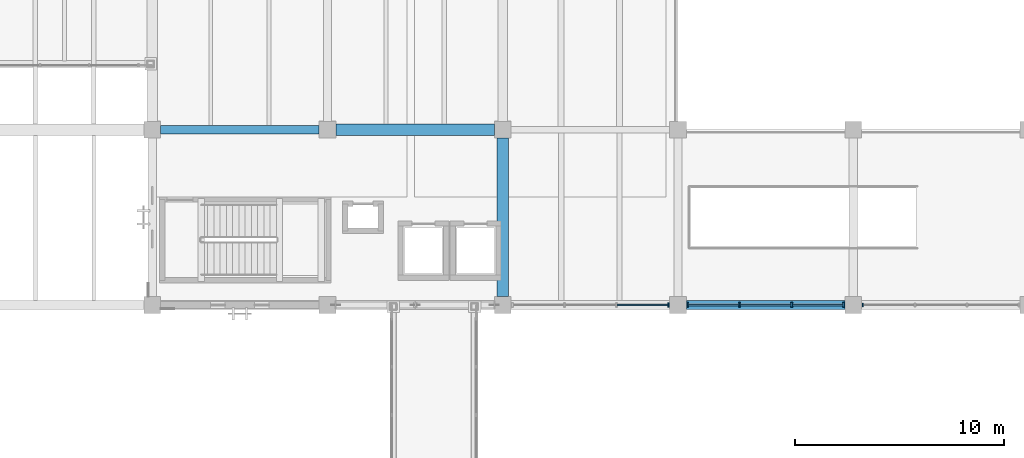
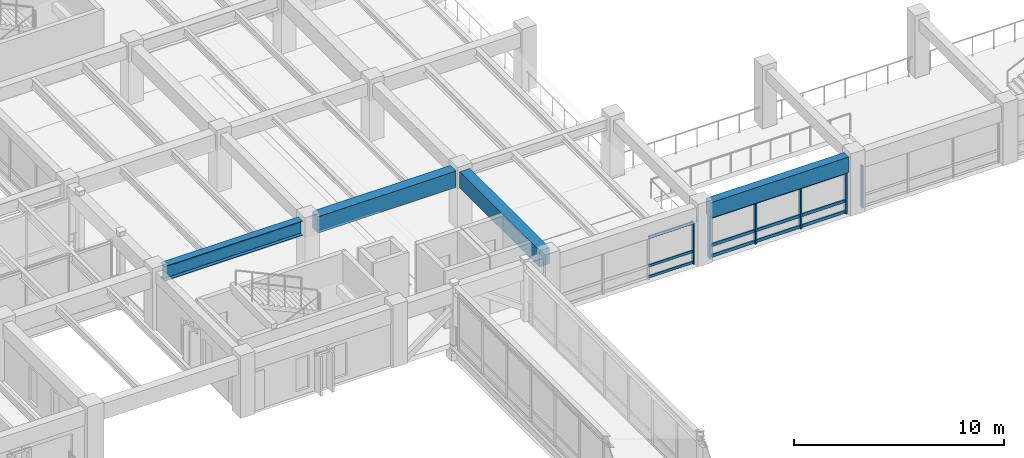
# One storey, part 36 of 118: 18 members, 4 beams, 3 elements without a shape of their own.
"""IFC4 building model written with IfcOpenShell, lengths in metres."""

from ifc_helpers import new_model, si_unit, direction, frame, origin, origin_2d, place, context, subcontext, project, spatial, rectangle, i_section, extrude, material, material_profile, profile_set, type_object, element, aggregate, save


model = new_model("IFC4")

# Units and contexts
model_context = context("Model", 3, precision=1e-05, world=origin(), true_north=direction((0.0, 1.0)))
body_context = subcontext(model_context, "Body", "Model", "MODEL_VIEW")
ifc_project = project(units=[si_unit("LENGTHUNIT", "METRE"), si_unit("AREAUNIT", "SQUARE_METRE"), si_unit("VOLUMEUNIT", "CUBIC_METRE"), si_unit("PLANEANGLEUNIT", "RADIAN"), si_unit("MASSUNIT", "GRAM", prefix="KILO")], contexts=[model_context])

# Site, building, storey
site_placement = place(None, origin())
site = spatial("IfcSite", under=ifc_project, at=site_placement, CompositionType="ELEMENT")
building_placement = place(site_placement, origin())
building = spatial("IfcBuilding", under=site, at=building_placement, Name="Cumbredor Promenade Congress Hotel", CompositionType="ELEMENT")
storey_placement = place(building_placement, frame((0.0, 0.0, 3.919921875)))
storey = spatial("IfcBuildingStorey", under=building, at=storey_placement, Name="L01", CompositionType="ELEMENT", Elevation=3.919921875)

# Beams
ifc_material_1 = material(Name="Concrete C40/50", Category="concrete")
ifc_material_profile_1 = material_profile(ifc_material_1, rectangle(XDim=0.550048828125, YDim=0.949951171875, at=origin_2d()), Name="RC BEAM 550x950")
ifc_profile_set_1 = profile_set([ifc_material_profile_1], Name="Concrete C40/50")
beam_type_1 = type_object("IfcBeamType", Name="BM-RC-550x950", PredefinedType="BEAM", material=ifc_profile_set_1)
for number, where, z_axis, x_axis, name in (
    (1, (101.199951171875, 92.39990234375, 2.885009765625), (1.0, 0.0, 0.0), (0.0, 1.0, 0.0), "L02 X-Grid Beam 188"),
    (2, (109.199951171875, 84.39990234375, 2.885009765625), (0.0, 1.0, 0.0), (-1.0, 0.0, 0.0), "L02 Y-Grid Beam 200"),
):
    element("IfcBeam", number, at=place(storey_placement, frame(where, z_axis=z_axis, x_axis=x_axis)), inside=storey, type_object=beam_type_1, Name=name, PredefinedType="BEAM", context=body_context, shape_type="SweptSolid", body=[
        extrude(rectangle(XDim=0.550048828125, YDim=0.949951171875, at=origin_2d()), origin(), (0.0, 0.0, 1.0), 7.60009765625),
    ])
ifc_material_2 = material(Name="Steel ASTM A992 Grade 50", Category="steel")
ifc_material_profile_2 = material_profile(ifc_material_2, i_section(OverallWidth=0.39990234375, OverallDepth=0.85498046875, WebThickness=0.018310546875, FlangeThickness=0.029296875, at=origin_2d()), Name="W33X201")
ifc_profile_set_2 = profile_set([ifc_material_profile_2], Name="Steel ASTM A992 Grade 50")
beam_type_2 = type_object("IfcBeamType", Name="BM-W33X201", PredefinedType="BEAM", material=ifc_profile_set_2)
beam_1_placement = place(storey_placement, frame((92.800048828125, 92.39990234375, 2.9326171875), z_axis=(1.0, 0.0, 0.0), x_axis=(0.0, 1.0, 0.0)))
element("IfcBeam", 3, at=beam_1_placement, inside=storey, type_object=beam_type_2, Name="L02 X-Grid Beam 174", PredefinedType="BEAM", context=body_context, shape_type="SweptSolid", body=[
    extrude(i_section(OverallWidth=0.39990234375, OverallDepth=0.85498046875, WebThickness=0.018310546875, FlangeThickness=0.029296875, at=origin_2d()), origin(), (0.0, 0.0, 1.0), 7.599853515625),
])

# Curtain wall, member
ifc_material_3 = material(Name="Thermally broken anodized aluminium and low-E glass", Category="aluminium")
curtain_wall_type = type_object("IfcCurtainWallType", Name="Unitised Forum Curtain Wall CW-02", PredefinedType="NOTDEFINED", material=ifc_material_3)
curtain_wall_1_placement = place(storey_placement, origin())
curtain_wall_1 = element("IfcCurtainWall", 4, at=curtain_wall_1_placement, inside=storey, type_object=curtain_wall_type, Name="L01 Pre-Function and Breakout Meeting Forum South Curtain Wall 5", PredefinedType="NOTDEFINED")
ifc_material_4 = material(Name="Thermally broken anodized aluminium", Category="aluminium")
ifc_material_profile_3 = material_profile(ifc_material_4, rectangle(XDim=0.06494140625, YDim=0.159912109375, at=origin_2d()), Name="ALU MULLION 65x160")
ifc_profile_set_3 = profile_set([ifc_material_profile_3], Name="Thermally broken anodized aluminium")
member_type_1 = type_object("IfcMemberType", Name="Curtain Wall Mullion ML-01", PredefinedType="MULLION", material=ifc_profile_set_3)
member_1_placement = place(storey_placement, frame((126.455078125, 84.0, -0.0078125), z_axis=(0.0, 0.0, 1.0), x_axis=(1.0, 0.0, 0.0)))
member_1 = element("IfcMember", 5, at=member_1_placement, type_object=member_type_1, Name="L01 Pre-Function and Breakout Meeting Forum South Curtain Wall 5 Mullion 1", PredefinedType="MULLION", context=body_context, shape_type="SweptSolid", body=[
    extrude(rectangle(XDim=0.06494140625, YDim=0.159912109375, at=origin_2d()), origin(), (0.0, 0.0, 1.0), 2.4609375),
])
aggregate(curtain_wall_1, [member_1])

curtain_wall_2_placement = place(storey_placement, origin())
curtain_wall_2 = element("IfcCurtainWall", 6, at=curtain_wall_2_placement, inside=storey, type_object=curtain_wall_type, Name="L01 Pre-Function and Breakout Meeting Forum South Curtain Wall 3", PredefinedType="NOTDEFINED")
ifc_material_profile_4 = material_profile(ifc_material_4, rectangle(XDim=0.074951171875, YDim=0.199951171875, at=origin_2d()), Name="ALU MULLION 75x200")
ifc_profile_set_4 = profile_set([ifc_material_profile_4], Name="Thermally broken anodized aluminium")
member_type_2 = type_object("IfcMemberType", Name="Curtain Wall Mullion ML-02", PredefinedType="MULLION", material=ifc_profile_set_4)
member_2_placement = place(storey_placement, frame((117.14501953125, 84.0, -0.0078125), z_axis=(0.0, 0.0, 1.0), x_axis=(1.0, 0.0, 0.0)))
member_2 = element("IfcMember", 7, at=member_2_placement, type_object=member_type_2, Name="L01 Pre-Function and Breakout Meeting Forum South Curtain Wall 3 Mullion 4", PredefinedType="MULLION", context=body_context, shape_type="SweptSolid", body=[
    extrude(rectangle(XDim=0.074951171875, YDim=0.199951171875, at=origin_2d()), origin(), (0.0, 0.0, 1.0), 2.4609375),
])

# Curtain wall, members
curtain_wall_3_placement = place(storey_placement, origin())
curtain_wall_3 = element("IfcCurtainWall", 8, at=curtain_wall_3_placement, inside=storey, type_object=curtain_wall_type, Name="L01 Pre-Function and Breakout Meeting Forum South Curtain Wall 4", PredefinedType="NOTDEFINED")
ifc_material_profile_5 = material_profile(ifc_material_4, rectangle(XDim=0.080078125, YDim=0.239990234375, at=origin_2d()), Name="ALU MULLION 80x240")
ifc_profile_set_5 = profile_set([ifc_material_profile_5], Name="Thermally broken anodized aluminium")
member_type_3 = type_object("IfcMemberType", Name="Curtain Wall Mullion ML-03", PredefinedType="MULLION", material=ifc_profile_set_5)
member_3_placement = place(storey_placement, frame((118.054931640625, 84.0, -0.0078125), z_axis=(0.0, 0.0, 1.0), x_axis=(1.0, 0.0, 0.0)))
member_3 = element("IfcMember", 9, at=member_3_placement, type_object=member_type_3, Name="L01 Pre-Function and Breakout Meeting Forum South Curtain Wall 4 Mullion 1", PredefinedType="MULLION", context=body_context, shape_type="SweptSolid", body=[
    extrude(rectangle(XDim=0.080078125, YDim=0.239990234375, at=origin_2d()), origin(), (0.0, 0.0, 1.0), 2.4609375),
])
member_4_placement = place(storey_placement, frame((120.5517578125, 84.0, -0.0078125), z_axis=(0.0, 0.0, 1.0), x_axis=(1.0, 0.0, 0.0)))
member_4 = element("IfcMember", 10, at=member_4_placement, type_object=member_type_3, Name="L01 Pre-Function and Breakout Meeting Forum South Curtain Wall 4 Mullion 2", PredefinedType="MULLION", context=body_context, shape_type="SweptSolid", body=[
    extrude(rectangle(XDim=0.080078125, YDim=0.239990234375, at=origin_2d()), origin(), (0.0, 0.0, 1.0), 2.4609375),
])
member_5_placement = place(storey_placement, frame((123.04833984375, 84.0, -0.0078125), z_axis=(0.0, 0.0, 1.0), x_axis=(1.0, 0.0, 0.0)))
member_5 = element("IfcMember", 11, at=member_5_placement, type_object=member_type_3, Name="L01 Pre-Function and Breakout Meeting Forum South Curtain Wall 4 Mullion 3", PredefinedType="MULLION", context=body_context, shape_type="SweptSolid", body=[
    extrude(rectangle(XDim=0.080078125, YDim=0.239990234375, at=origin_2d()), origin(), (0.0, 0.0, 1.0), 2.4609375),
])
member_6_placement = place(storey_placement, frame((125.544921875, 84.0, -0.0078125), z_axis=(0.0, 0.0, 1.0), x_axis=(1.0, 0.0, 0.0)))
member_6 = element("IfcMember", 12, at=member_6_placement, type_object=member_type_3, Name="L01 Pre-Function and Breakout Meeting Forum South Curtain Wall 4 Mullion 4", PredefinedType="MULLION", context=body_context, shape_type="SweptSolid", body=[
    extrude(rectangle(XDim=0.080078125, YDim=0.239990234375, at=origin_2d()), origin(), (0.0, 0.0, 1.0), 2.4609375),
])

# Member
ifc_material_profile_6 = material_profile(ifc_material_4, rectangle(XDim=0.074951171875, YDim=0.14990234375, at=origin_2d()), Name="ALU TRANSOM 75x150")
ifc_profile_set_6 = profile_set([ifc_material_profile_6], Name="Thermally broken anodized aluminium")
member_type_4 = type_object("IfcMemberType", Name="Curtain Wall Transom TR-02", PredefinedType="USERDEFINED", material=ifc_profile_set_6)
member_7_placement = place(storey_placement, frame((114.685791015625, 84.0, 0.080078125), z_axis=(1.0, 0.0, 0.0), x_axis=(0.0, 1.0, 0.0)))
member_7 = element("IfcMember", 13, at=member_7_placement, type_object=member_type_4, Name="L01 Pre-Function and Breakout Meeting Forum South Curtain Wall 3 Transom 3.1", ObjectType="TRANSOM", PredefinedType="USERDEFINED", context=body_context, shape_type="SweptSolid", body=[
    extrude(rectangle(XDim=0.074951171875, YDim=0.14990234375, at=origin_2d()), origin(), (0.0, 0.0, 1.0), 2.421630859375),
])

member_8_placement = place(storey_placement, frame((114.685791015625, 84.0, 0.719970703125), z_axis=(1.0, 0.0, 0.0), x_axis=(0.0, 1.0, 0.0)))
member_8 = element("IfcMember", 14, at=member_8_placement, type_object=member_type_4, Name="L01 Pre-Function and Breakout Meeting Forum South Curtain Wall 3 Transom 3.2", ObjectType="TRANSOM", PredefinedType="USERDEFINED", context=body_context, shape_type="SweptSolid", body=[
    extrude(rectangle(XDim=0.074951171875, YDim=0.14990234375, at=origin_2d()), origin(), (0.0, 0.0, 1.0), 2.421630859375),
])

member_9_placement = place(storey_placement, frame((114.685791015625, 84.0, 2.3701171875), z_axis=(1.0, 0.0, 0.0), x_axis=(0.0, 1.0, 0.0)))
member_9 = element("IfcMember", 15, at=member_9_placement, type_object=member_type_4, Name="L01 Pre-Function and Breakout Meeting Forum South Curtain Wall 3 Transom 3.3", ObjectType="TRANSOM", PredefinedType="USERDEFINED", context=body_context, shape_type="SweptSolid", body=[
    extrude(rectangle(XDim=0.074951171875, YDim=0.14990234375, at=origin_2d()), origin(), (0.0, 0.0, 1.0), 2.421630859375),
])

aggregate(curtain_wall_2, [member_2, member_7, member_8, member_9])

ifc_material_profile_7 = material_profile(ifc_material_4, rectangle(XDim=0.080078125, YDim=0.179931640625, at=origin_2d()), Name="ALU TRANSOM 80x180")
ifc_profile_set_7 = profile_set([ifc_material_profile_7], Name="Thermally broken anodized aluminium")
member_type_5 = type_object("IfcMemberType", Name="Curtain Wall Transom TR-03", PredefinedType="USERDEFINED", material=ifc_profile_set_7)
member_10_placement = place(storey_placement, frame((118.094970703125, 84.0, 0.090087890625), z_axis=(1.0, 0.0, 0.0), x_axis=(0.0, 1.0, 0.0)))
member_10 = element("IfcMember", 16, at=member_10_placement, type_object=member_type_5, Name="L01 Pre-Function and Breakout Meeting Forum South Curtain Wall 4 Transom 1.1", ObjectType="TRANSOM", PredefinedType="USERDEFINED", context=body_context, shape_type="SweptSolid", body=[
    extrude(rectangle(XDim=0.080078125, YDim=0.179931640625, at=origin_2d()), origin(), (0.0, 0.0, 1.0), 2.416748046875),
])

member_11_placement = place(storey_placement, frame((118.094970703125, 84.0, 0.719970703125), z_axis=(1.0, 0.0, 0.0), x_axis=(0.0, 1.0, 0.0)))
member_11 = element("IfcMember", 17, at=member_11_placement, type_object=member_type_5, Name="L01 Pre-Function and Breakout Meeting Forum South Curtain Wall 4 Transom 1.2", ObjectType="TRANSOM", PredefinedType="USERDEFINED", context=body_context, shape_type="SweptSolid", body=[
    extrude(rectangle(XDim=0.080078125, YDim=0.179931640625, at=origin_2d()), origin(), (0.0, 0.0, 1.0), 2.416748046875),
])

member_12_placement = place(storey_placement, frame((118.094970703125, 84.0, 2.360107421875), z_axis=(1.0, 0.0, 0.0), x_axis=(0.0, 1.0, 0.0)))
member_12 = element("IfcMember", 18, at=member_12_placement, type_object=member_type_5, Name="L01 Pre-Function and Breakout Meeting Forum South Curtain Wall 4 Transom 1.3", ObjectType="TRANSOM", PredefinedType="USERDEFINED", context=body_context, shape_type="SweptSolid", body=[
    extrude(rectangle(XDim=0.080078125, YDim=0.179931640625, at=origin_2d()), origin(), (0.0, 0.0, 1.0), 2.416748046875),
])

member_13_placement = place(storey_placement, frame((120.591796875, 84.0, 0.090087890625), z_axis=(1.0, 0.0, 0.0), x_axis=(0.0, 1.0, 0.0)))
member_13 = element("IfcMember", 19, at=member_13_placement, type_object=member_type_5, Name="L01 Pre-Function and Breakout Meeting Forum South Curtain Wall 4 Transom 2.1", ObjectType="TRANSOM", PredefinedType="USERDEFINED", context=body_context, shape_type="SweptSolid", body=[
    extrude(rectangle(XDim=0.080078125, YDim=0.179931640625, at=origin_2d()), origin(), (0.0, 0.0, 1.0), 2.41650390625),
])

member_14_placement = place(storey_placement, frame((120.591796875, 84.0, 0.719970703125), z_axis=(1.0, 0.0, 0.0), x_axis=(0.0, 1.0, 0.0)))
member_14 = element("IfcMember", 20, at=member_14_placement, type_object=member_type_5, Name="L01 Pre-Function and Breakout Meeting Forum South Curtain Wall 4 Transom 2.2", ObjectType="TRANSOM", PredefinedType="USERDEFINED", context=body_context, shape_type="SweptSolid", body=[
    extrude(rectangle(XDim=0.080078125, YDim=0.179931640625, at=origin_2d()), origin(), (0.0, 0.0, 1.0), 2.41650390625),
])

member_15_placement = place(storey_placement, frame((120.591796875, 84.0, 2.360107421875), z_axis=(1.0, 0.0, 0.0), x_axis=(0.0, 1.0, 0.0)))
member_15 = element("IfcMember", 21, at=member_15_placement, type_object=member_type_5, Name="L01 Pre-Function and Breakout Meeting Forum South Curtain Wall 4 Transom 2.3", ObjectType="TRANSOM", PredefinedType="USERDEFINED", context=body_context, shape_type="SweptSolid", body=[
    extrude(rectangle(XDim=0.080078125, YDim=0.179931640625, at=origin_2d()), origin(), (0.0, 0.0, 1.0), 2.41650390625),
])

member_16_placement = place(storey_placement, frame((123.08837890625, 84.0, 0.090087890625), z_axis=(1.0, 0.0, 0.0), x_axis=(0.0, 1.0, 0.0)))
member_16 = element("IfcMember", 22, at=member_16_placement, type_object=member_type_5, Name="L01 Pre-Function and Breakout Meeting Forum South Curtain Wall 4 Transom 3.1", ObjectType="TRANSOM", PredefinedType="USERDEFINED", context=body_context, shape_type="SweptSolid", body=[
    extrude(rectangle(XDim=0.080078125, YDim=0.179931640625, at=origin_2d()), origin(), (0.0, 0.0, 1.0), 2.41650390625),
])

member_17_placement = place(storey_placement, frame((123.08837890625, 84.0, 0.719970703125), z_axis=(1.0, 0.0, 0.0), x_axis=(0.0, 1.0, 0.0)))
member_17 = element("IfcMember", 23, at=member_17_placement, type_object=member_type_5, Name="L01 Pre-Function and Breakout Meeting Forum South Curtain Wall 4 Transom 3.2", ObjectType="TRANSOM", PredefinedType="USERDEFINED", context=body_context, shape_type="SweptSolid", body=[
    extrude(rectangle(XDim=0.080078125, YDim=0.179931640625, at=origin_2d()), origin(), (0.0, 0.0, 1.0), 2.41650390625),
])

member_18_placement = place(storey_placement, frame((123.08837890625, 84.0, 2.360107421875), z_axis=(1.0, 0.0, 0.0), x_axis=(0.0, 1.0, 0.0)))
member_18 = element("IfcMember", 24, at=member_18_placement, type_object=member_type_5, Name="L01 Pre-Function and Breakout Meeting Forum South Curtain Wall 4 Transom 3.3", ObjectType="TRANSOM", PredefinedType="USERDEFINED", context=body_context, shape_type="SweptSolid", body=[
    extrude(rectangle(XDim=0.080078125, YDim=0.179931640625, at=origin_2d()), origin(), (0.0, 0.0, 1.0), 2.41650390625),
])

aggregate(curtain_wall_3, [member_3, member_4, member_5, member_6, member_10, member_11, member_12, member_13, member_14, member_15, member_16, member_17, member_18])

# Beam
ifc_material_profile_8 = material_profile(ifc_material_1, rectangle(XDim=0.449951171875, YDim=0.89990234375, at=origin_2d()), Name="RC SPANDREL 450x900")
ifc_profile_set_8 = profile_set([ifc_material_profile_8], Name="Concrete C40/50")
beam_type_3 = type_object("IfcBeamType", Name="SP-RC-450x900", PredefinedType="SPANDREL", material=ifc_profile_set_8)
beam_2_placement = place(storey_placement, frame((118.0, 84.0, 2.91015625), z_axis=(1.0, 0.0, 0.0), x_axis=(0.0, 1.0, 0.0)))
element("IfcBeam", 25, at=beam_2_placement, inside=storey, type_object=beam_type_3, Name="L02 X-Grid Beam 208", PredefinedType="SPANDREL", context=body_context, shape_type="SweptSolid", body=[
    extrude(rectangle(XDim=0.449951171875, YDim=0.89990234375, at=origin_2d()), origin(), (0.0, 0.0, 1.0), 7.60009765625),
])

save(model, "model.ifc")
